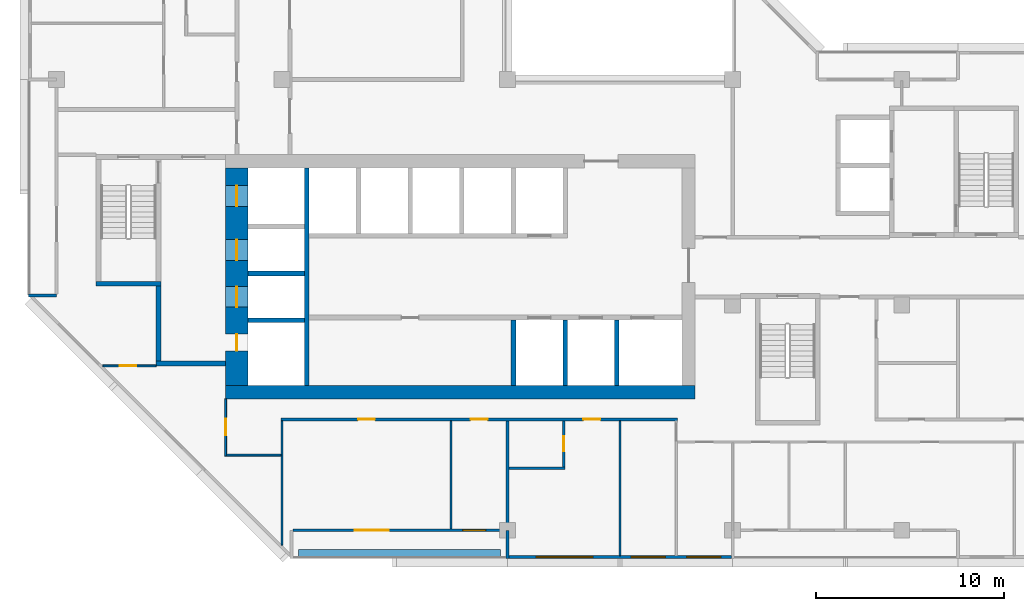
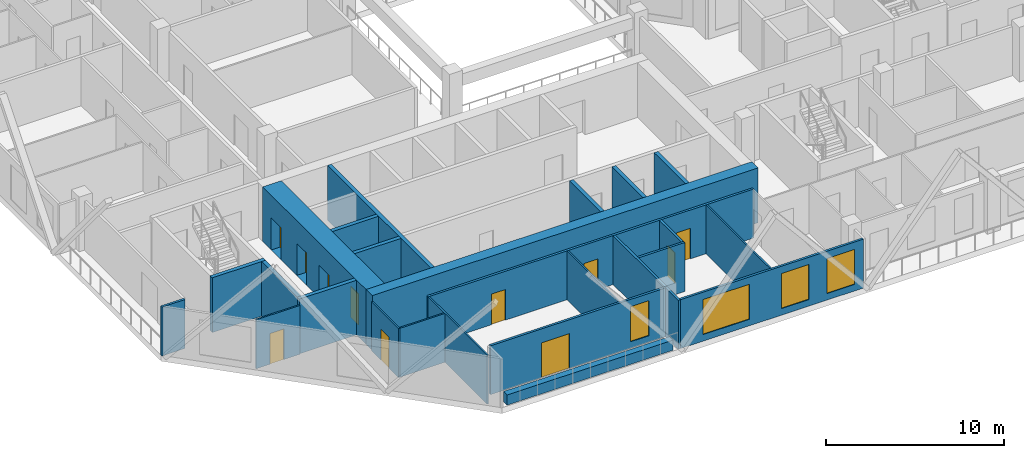
# One storey, part 4 of 14: 26 walls, 11 doors, 4 windows, 15 openings.
"""IFC4 building model written with IfcOpenShell, lengths in metres."""

import ifcopenshell
import ifcopenshell.guid

model = None  # the IFC model being written
_history = None  # IfcOwnerHistory: only IFC2X3 demands one
_inside = {}  # id of a spatial element -> (the spatial element, [elements in it])
_under = {}  # id of a project, library or spatial element -> (it, [spatial elements below it])
_declared = {}  # id of a project -> (the project, [libraries it declares])
_typed = {}  # id of a type object -> (the type object, [elements of that type])
_made_of = {}  # id of a material, layer set ... -> (it, [elements and type objects made of it])


def new_model(schema):
    """Start an empty IFC model of exactly this schema.

    Asked for "IFC4X3", IfcOpenShell would pick the latest addendum, in which some entities
    have other attributes; the version numbers below select the first issue.
    IFC2X3 requires an IfcOwnerHistory on every rooted entity: one is made here for all.
    """
    global model, _history
    if schema == "IFC4X3":
        model = ifcopenshell.file(schema_version=(4, 3, 0, 0))
    else:
        model = ifcopenshell.file(schema=schema)
    _inside.clear()
    _under.clear()
    _declared.clear()
    _typed.clear()
    _made_of.clear()
    _history = None
    if model.schema == "IFC2X3":
        org = make("IfcOrganization", Name="unknown")
        user = make(
            "IfcPersonAndOrganization",
            ThePerson=make("IfcPerson", FamilyName="unknown"),
            TheOrganization=org,
        )
        app = make(
            "IfcApplication",
            ApplicationDeveloper=org,
            Version="unknown",
            ApplicationFullName="unknown",
            ApplicationIdentifier="unknown",
        )
        _history = make(
            "IfcOwnerHistory",
            OwningUser=user,
            OwningApplication=app,
            ChangeAction="ADDED",
            CreationDate=0,
        )
    return model


def make(cls, **values):
    """One entity of the class cls with the attributes given. An attribute that is None is left unset."""
    return model.create_entity(
        cls, **{name: value for name, value in values.items() if value is not None}
    )


def rooted(cls, **values):
    """An entity with a GlobalId (a new one), such as an element, a storey or a relation."""
    return make(cls, GlobalId=ifcopenshell.guid.new(), OwnerHistory=_history, **values)


def si_unit(unit_type, name, prefix=None):
    """IfcSIUnit, for example si_unit("LENGTHUNIT", "METRE", prefix="MILLI")."""
    return make("IfcSIUnit", UnitType=unit_type, Prefix=prefix, Name=name)


def assignment(units):
    """IfcUnitAssignment: the units of a project."""
    return None if units is None else make("IfcUnitAssignment", Units=units)


def point(xyz):
    """IfcCartesianPoint."""
    return None if xyz is None else make("IfcCartesianPoint", Coordinates=xyz)


def direction(xyz):
    """IfcDirection."""
    return None if xyz is None else make("IfcDirection", DirectionRatios=xyz)


def frame(location, z_axis=None, x_axis=None):
    """IfcAxis2Placement3D, a coordinate frame: its origin and axes. An axis left out is left unset."""
    return make(
        "IfcAxis2Placement3D",
        Location=point(location),
        Axis=direction(z_axis),
        RefDirection=direction(x_axis),
    )


def frame_2d(location, x_axis=None):
    """IfcAxis2Placement2D, a coordinate frame in the plane: its origin and x axis."""
    return make(
        "IfcAxis2Placement2D", Location=point(location), RefDirection=direction(x_axis)
    )


def origin():
    """The frame at (0, 0, 0) with its axes left unset."""
    return frame((0.0, 0.0, 0.0))


def place(relative_to, where):
    """IfcLocalPlacement: puts the frame where relative to a parent placement (None: the world)."""
    return make(
        "IfcLocalPlacement", PlacementRelTo=relative_to, RelativePlacement=where
    )


def context(
    kind, dimensions, precision=None, world=None, true_north=None, identifier=None
):
    """IfcGeometricRepresentationContext, for example the 3D "Model" context."""
    return make(
        "IfcGeometricRepresentationContext",
        ContextIdentifier=identifier,
        ContextType=kind,
        CoordinateSpaceDimension=dimensions,
        Precision=precision,
        WorldCoordinateSystem=world,
        TrueNorth=true_north,
    )


def subcontext(parent, identifier, kind, view, scale=None):
    """IfcGeometricRepresentationSubContext, for example "Body" below "Model"."""
    return make(
        "IfcGeometricRepresentationSubContext",
        ContextIdentifier=identifier,
        ContextType=kind,
        ParentContext=parent,
        TargetScale=scale,
        TargetView=view,
    )


def project(units=None, contexts=None):
    """IfcProject with its units and contexts."""
    return rooted(
        "IfcProject",
        Name="project",
        RepresentationContexts=contexts,
        UnitsInContext=assignment(units),
    )


def spatial(cls, under=None, at=None, **own):
    """A site, building, storey or space (cls), placed at a placement, below another one or the project."""
    s = rooted(cls, ObjectPlacement=at, **own)
    if under is not None:
        _under.setdefault(under.id(), (under, []))[1].append(s)
    return s


def profile(cls, at=None, kind="AREA", **sizes):
    """A parametric profile (cls). Its sizes go by their IFC names, for example OverallWidth=200.0."""
    return make(cls, ProfileType=kind, Position=at, **sizes)


def rectangle(**sizes):
    """IfcRectangleProfileDef."""
    return profile("IfcRectangleProfileDef", **sizes)


def extrude(swept, where, along, depth):
    """IfcExtrudedAreaSolid: the profile swept, set in the frame where, extruded along a direction by depth."""
    return make(
        "IfcExtrudedAreaSolid",
        SweptArea=swept,
        Position=where,
        ExtrudedDirection=direction(along),
        Depth=depth,
    )


def shape(context_of_items, identifier, shape_type, items):
    """IfcShapeRepresentation: the items that make up one representation, for example the "Body"."""
    return make(
        "IfcShapeRepresentation",
        ContextOfItems=context_of_items,
        RepresentationIdentifier=identifier,
        RepresentationType=shape_type,
        Items=items,
    )


def material(Name=None, Category=None):
    """IfcMaterial."""
    return make("IfcMaterial", Name=Name, Category=Category)


def layer(
    of_material, thickness, ventilated=None, Name=None, Category=None, Priority=None
):
    """IfcMaterialLayer: one layer of a wall or slab, of a material (None: an air gap)."""
    return make(
        "IfcMaterialLayer",
        Material=of_material,
        LayerThickness=thickness,
        IsVentilated=ventilated,
        Name=Name,
        Category=Category,
        Priority=Priority,
    )


def layer_set(layers, Name=None):
    """IfcMaterialLayerSet."""
    return make("IfcMaterialLayerSet", MaterialLayers=layers, LayerSetName=Name)


def made_of(thing, what):
    """Note that an element or type object is made of a material, layer set ...; save() writes the relation."""
    if what is not None:
        _made_of.setdefault(what.id(), (what, []))[1].append(thing)
    return thing


def type_object(cls, material=None, **own):
    """A type object (cls), such as IfcWallType, which elements share."""
    return made_of(rooted(cls, **own), material)


def element(
    cls,
    number,
    at=None,
    inside=None,
    cuts=None,
    type_object=None,
    material=None,
    context=None,
    identifier="Body",
    shape_type=None,
    held_by="IfcProductDefinitionShape",
    body=None,
    shapes=None,
    **own,
):
    """One element of the class cls, such as IfcWall. Its Tag is "e" and its number.

    at: its placement. inside: the storey or other place that contains it. cuts: it is an
    opening in that element (IfcRelVoidsElement). A single representation is given by context,
    identifier, shape_type and body (its items); several are given by shapes. held_by: the class
    of the entity that holds the representations. save() writes the other relations.
    """
    e = rooted(cls, Tag="e%d" % number, ObjectPlacement=at, **own)
    if body is not None:
        shapes = [shape(context, identifier, shape_type, body)]
    if shapes is not None:
        e.Representation = make(held_by, Representations=shapes)
    if inside is not None:
        _inside.setdefault(inside.id(), (inside, []))[1].append(e)
    if cuts is not None:
        rooted(
            "IfcRelVoidsElement", RelatingBuildingElement=cuts, RelatedOpeningElement=e
        )
    if type_object is not None:
        _typed.setdefault(type_object.id(), (type_object, []))[1].append(e)
    return made_of(e, material)


def fill(opening, filler):
    """IfcRelFillsElement: the door or window that sits in an opening."""
    return rooted(
        "IfcRelFillsElement",
        RelatingOpeningElement=opening,
        RelatedBuildingElement=filler,
    )


def aggregate(whole, parts):
    """IfcRelAggregates: a whole, such as a stair, and the parts it consists of."""
    return rooted("IfcRelAggregates", RelatingObject=whole, RelatedObjects=parts)


def save(model, path):
    """Write the relations noted so far, then the file.

    IfcRelAggregates (storeys below a building ...), IfcRelContainedInSpatialStructure (elements
    in a storey), IfcRelDefinesByType, IfcRelAssociatesMaterial and IfcRelDeclares: one each for
    every whole, place, type object, material and project.
    """
    for whole, parts in _under.values():
        aggregate(whole, parts)
    for where, things in _inside.values():
        rooted(
            "IfcRelContainedInSpatialStructure",
            RelatedElements=things,
            RelatingStructure=where,
        )
    for kind, things in _typed.values():
        rooted("IfcRelDefinesByType", RelatedObjects=things, RelatingType=kind)
    for what, things in _made_of.values():
        rooted("IfcRelAssociatesMaterial", RelatedObjects=things, RelatingMaterial=what)
    for by, libraries in _declared.values():
        rooted("IfcRelDeclares", RelatingContext=by, RelatedDefinitions=libraries)
    model.write(path)


model = new_model("IFC4")

# Units and contexts
model_context = context("Model", 3, precision=1e-05, world=origin(), true_north=direction((0.0, 1.0)))
body_context = subcontext(model_context, "Body", "Model", "MODEL_VIEW")
ifc_project = project(units=[si_unit("LENGTHUNIT", "METRE"), si_unit("AREAUNIT", "SQUARE_METRE"), si_unit("VOLUMEUNIT", "CUBIC_METRE"), si_unit("PLANEANGLEUNIT", "RADIAN"), si_unit("MASSUNIT", "GRAM", prefix="KILO")], contexts=[model_context])

# Site, building, storey
site_placement = place(None, origin())
site = spatial("IfcSite", under=ifc_project, at=site_placement, CompositionType="ELEMENT")
building_placement = place(site_placement, origin())
building = spatial("IfcBuilding", under=site, at=building_placement, Name="Chenar Terraces", CompositionType="ELEMENT")
storey_placement = place(building_placement, frame((0.0, 0.0, 226.64990234375)))
storey = spatial("IfcBuildingStorey", under=building, at=storey_placement, Name="L53", CompositionType="ELEMENT", Elevation=226.64990234375)

# Wall, openings, doors
ifc_material_1 = material(Name="Concrete C60/75", Category="concrete")
ifc_layer_1 = layer(ifc_material_1, 1.199951171875)
ifc_layer_set_1 = layer_set([ifc_layer_1], Name="Concrete C60/75")
wall_type_1 = type_object("IfcWallType", Name="Core wall 1200 Concrete C60/75", PredefinedType="SHEAR", material=ifc_layer_set_1)
wall_1_placement = place(storey_placement, frame((9.60009765625, 7.699951171875, 0.0), z_axis=(0.0, 0.0, 1.0), x_axis=(0.0, 1.0, 0.0)))
wall_1 = element("IfcWall", 1, at=wall_1_placement, inside=storey, type_object=wall_type_1, Name="Core wall W L53", PredefinedType="SHEAR", context=body_context, shape_type="SweptSolid", body=[
    extrude(rectangle(XDim=11.60009765625, YDim=1.199951171875, at=frame_2d((5.800048828125, 0.0))), origin(), (0.0, 0.0, 1.0), 3.75),
])
opening_1_placement = place(wall_1_placement, frame((4.175048828125, 0.0, 0.0)))
opening_1 = element("IfcOpeningElement", 2, at=opening_1_placement, cuts=wall_1, Name="Opening DL53-LD5", PredefinedType="OPENING", context=body_context, shape_type="SweptSolid", body=[
    extrude(rectangle(XDim=1.10009765625, YDim=2.199951171875, at=frame_2d((0.550048828125, 1.10009765625))), frame((0.0, 0.60986328125, 0.0), z_axis=(0.0, -1.0, 0.0), x_axis=(1.0, 0.0, 0.0)), (0.0, 0.0, 1.0), 1.219970703125),
])
opening_2_placement = place(wall_1_placement, frame((6.675048828125, 0.0, 0.0)))
opening_2 = element("IfcOpeningElement", 3, at=opening_2_placement, cuts=wall_1, Name="Opening DL53-LD6", PredefinedType="OPENING", context=body_context, shape_type="SweptSolid", body=[
    extrude(rectangle(XDim=1.10009765625, YDim=2.199951171875, at=frame_2d((0.550048828125, 1.10009765625))), frame((0.0, 0.60986328125, 0.0), z_axis=(0.0, -1.0, 0.0), x_axis=(1.0, 0.0, 0.0)), (0.0, 0.0, 1.0), 1.219970703125),
])
opening_3_placement = place(wall_1_placement, frame((9.550048828125, 0.0, 0.0)))
opening_3 = element("IfcOpeningElement", 4, at=opening_3_placement, cuts=wall_1, Name="Opening DL53-LD7", PredefinedType="OPENING", context=body_context, shape_type="SweptSolid", body=[
    extrude(rectangle(XDim=1.10009765625, YDim=2.199951171875, at=frame_2d((0.550048828125, 1.10009765625))), frame((0.0, 0.60986328125, 0.0), z_axis=(0.0, -1.0, 0.0), x_axis=(1.0, 0.0, 0.0)), (0.0, 0.0, 1.0), 1.219970703125),
])
opening_4_placement = place(wall_1_placement, frame((1.85009765625, 0.0, 0.0)))
opening_4 = element("IfcOpeningElement", 5, at=opening_4_placement, cuts=wall_1, Name="Opening DL53-C4", PredefinedType="OPENING", context=body_context, shape_type="SweptSolid", body=[
    extrude(rectangle(XDim=0.89990234375, YDim=2.10009765625, at=frame_2d((0.449951171875, 1.050048828125))), frame((0.0, 0.60986328125, 0.0), z_axis=(0.0, -1.0, 0.0), x_axis=(1.0, 0.0, 0.0)), (0.0, 0.0, 1.0), 1.219970703125),
])
ifc_material_2 = material(Name="Stainless steel", Category="steel")
door_type_1 = type_object("IfcDoorType", Name="Lift landing door 1100 x 2200 sliding", OperationType="DOUBLE_DOOR_SLIDING", PredefinedType="DOOR", material=ifc_material_2)
door_1_placement = place(opening_1_placement, origin())
door_1 = element("IfcDoor", 6, at=door_1_placement, inside=storey, type_object=door_type_1, Name="Landing door S1", OperationType="DOUBLE_DOOR_SLIDING", OverallHeight=2.199951171875, OverallWidth=1.10009765625, PredefinedType="DOOR", context=body_context, shape_type="SweptSolid", body=[
    extrude(rectangle(XDim=1.10009765625, YDim=2.199951171875, at=frame_2d((0.550048828125, 1.10009765625))), frame((0.0, 0.02490234375, 0.0), z_axis=(0.0, -1.0, 0.0), x_axis=(1.0, 0.0, 0.0)), (0.0, 0.0, 1.0), 0.050048828125),
])
fill(opening_1, door_1)
door_2_placement = place(opening_2_placement, origin())
door_2 = element("IfcDoor", 7, at=door_2_placement, inside=storey, type_object=door_type_1, Name="Landing door F1", OperationType="DOUBLE_DOOR_SLIDING", OverallHeight=2.199951171875, OverallWidth=1.10009765625, PredefinedType="DOOR", context=body_context, shape_type="SweptSolid", body=[
    extrude(rectangle(XDim=1.10009765625, YDim=2.199951171875, at=frame_2d((0.550048828125, 1.10009765625))), frame((0.0, 0.02490234375, 0.0), z_axis=(0.0, -1.0, 0.0), x_axis=(1.0, 0.0, 0.0)), (0.0, 0.0, 1.0), 0.050048828125),
])
fill(opening_2, door_2)
door_3_placement = place(opening_3_placement, origin())
door_3 = element("IfcDoor", 8, at=door_3_placement, inside=storey, type_object=door_type_1, Name="Landing door F2", OperationType="DOUBLE_DOOR_SLIDING", OverallHeight=2.199951171875, OverallWidth=1.10009765625, PredefinedType="DOOR", context=body_context, shape_type="SweptSolid", body=[
    extrude(rectangle(XDim=1.10009765625, YDim=2.199951171875, at=frame_2d((0.550048828125, 1.10009765625))), frame((0.0, 0.02490234375, 0.0), z_axis=(0.0, -1.0, 0.0), x_axis=(1.0, 0.0, 0.0)), (0.0, 0.0, 1.0), 0.050048828125),
])
fill(opening_3, door_3)
ifc_material_3 = material(Name="Steel-framed fire-resisting door leaf", Category="steel")
door_type_2 = type_object("IfcDoorType", Name="Riser fire door FD60 900 x 2100", OperationType="SINGLE_SWING_LEFT", PredefinedType="DOOR", material=ifc_material_3)
door_4_placement = place(opening_4_placement, frame((0.89990234375, 0.0, 0.0), z_axis=(0.0, 0.0, 1.0), x_axis=(-1.0, 0.0, 0.0)))
door_4 = element("IfcDoor", 9, at=door_4_placement, inside=storey, type_object=door_type_2, Name="Riser door DL53-C4", OperationType="SINGLE_SWING_LEFT", OverallHeight=2.10009765625, OverallWidth=0.89990234375, PredefinedType="DOOR", context=body_context, shape_type="SweptSolid", body=[
    extrude(rectangle(XDim=0.89990234375, YDim=2.10009765625, at=frame_2d((0.449951171875, 1.050048828125))), frame((0.0, 0.02490234375, 0.0), z_axis=(0.0, -1.0, 0.0), x_axis=(1.0, 0.0, 0.0)), (0.0, 0.0, 1.0), 0.050048828125),
])
fill(opening_4, door_4)

# Walls
ifc_material_4 = material(Name="Concrete C60/75", Category="concrete")
ifc_layer_2 = layer(ifc_material_4, 0.25)
ifc_layer_set_2 = layer_set([ifc_layer_2], Name="Concrete C60/75")
wall_type_2 = type_object("IfcWallType", Name="Core wall 250 Concrete C60/75", PredefinedType="SHEAR", material=ifc_layer_set_2)
wall_2_placement = place(storey_placement, frame((13.324951171875, 7.699951171875, 0.0), z_axis=(0.0, 0.0, 1.0), x_axis=(0.0, 1.0, 0.0)))
element("IfcWall", 10, at=wall_2_placement, inside=storey, type_object=wall_type_2, Name="Core wall WI L53", PredefinedType="SHEAR", context=body_context, shape_type="SweptSolid", body=[
    extrude(rectangle(XDim=11.60009765625, YDim=0.25, at=frame_2d((5.800048828125, 0.0))), origin(), (0.0, 0.0, 1.0), 3.75),
])
for number, where, z_axis, x_axis, name in (
    (11, (10.199951171875, 11.175048828125, 0.0), (0.0, 0.0, 1.0), (1.0, 0.0, 0.0), "Core wall HW0 L53"),
    (12, (10.199951171875, 13.675048828125, 0.0), (0.0, 0.0, 1.0), (1.0, 0.0, 0.0), "Core wall HW1 L53"),
):
    element("IfcWall", number, at=place(storey_placement, frame(where, z_axis=z_axis, x_axis=x_axis)), inside=storey, type_object=wall_type_2, Name=name, PredefinedType="SHEAR", context=body_context, shape_type="SweptSolid", body=[
        extrude(rectangle(XDim=3.0, YDim=0.25, at=frame_2d((1.5, 0.0))), origin(), (0.0, 0.0, 1.0), 3.75),
    ])
for number, where, z_axis, x_axis, name in (
    (13, (24.324951171875, 7.699951171875, 0.0), (0.0, 0.0, 1.0), (0.0, 1.0, 0.0), "Core wall SS3 L53"),
    (14, (27.074951171875, 7.699951171875, 0.0), (0.0, 0.0, 1.0), (0.0, 1.0, 0.0), "Core wall SS4 L53"),
    (15, (29.824951171875, 7.699951171875, 0.0), (0.0, 0.0, 1.0), (0.0, 1.0, 0.0), "Core wall SS5 L53"),
):
    element("IfcWall", number, at=place(storey_placement, frame(where, z_axis=z_axis, x_axis=x_axis)), inside=storey, type_object=wall_type_2, Name=name, PredefinedType="SHEAR", context=body_context, shape_type="SweptSolid", body=[
        extrude(rectangle(XDim=3.5, YDim=0.25, at=frame_2d((1.75, 0.0))), origin(), (0.0, 0.0, 1.0), 3.75),
    ])
wall_3_placement = place(storey_placement, frame((2.10009765625, 13.125, 0.0), z_axis=(0.0, 0.0, 1.0), x_axis=(1.0, 0.0, 0.0)))
element("IfcWall", 16, at=wall_3_placement, inside=storey, type_object=wall_type_2, Name="Core wall ST1_S L53", PredefinedType="SHEAR", context=body_context, shape_type="SweptSolid", body=[
    extrude(rectangle(XDim=3.449951171875, YDim=0.25, at=frame_2d((1.72509765625, 0.0))), origin(), (0.0, 0.0, 1.0), 3.75),
])
wall_4_placement = place(storey_placement, frame((5.300048828125, 8.875, 0.0), z_axis=(0.0, 0.0, 1.0), x_axis=(1.0, 0.0, 0.0)))
element("IfcWall", 17, at=wall_4_placement, inside=storey, type_object=wall_type_2, Name="Core wall FFL_S L53", PredefinedType="SHEAR", context=body_context, shape_type="SweptSolid", body=[
    extrude(rectangle(XDim=3.699951171875, YDim=0.25, at=frame_2d((1.85009765625, 0.0))), origin(), (0.0, 0.0, 1.0), 3.75),
])
wall_5_placement = place(storey_placement, frame((5.425048828125, 9.0, 0.0), z_axis=(0.0, 0.0, 1.0), x_axis=(0.0, 1.0, 0.0)))
element("IfcWall", 18, at=wall_5_placement, inside=storey, type_object=wall_type_2, Name="Core wall FFL_W L53", PredefinedType="SHEAR", context=body_context, shape_type="SweptSolid", body=[
    extrude(rectangle(XDim=4.0, YDim=0.25, at=frame_2d((2.0, 0.0))), origin(), (0.0, 0.0, 1.0), 3.75),
])
ifc_material_5 = material(Name="Concrete C60/75", Category="concrete")
ifc_layer_3 = layer(ifc_material_5, 0.699951171875)
ifc_layer_set_3 = layer_set([ifc_layer_3], Name="Concrete C60/75")
wall_type_3 = type_object("IfcWallType", Name="Core wall 700 Concrete C60/75", PredefinedType="SHEAR", material=ifc_layer_set_3)
wall_6_placement = place(storey_placement, frame((9.0, 7.35009765625, 0.0), z_axis=(0.0, 0.0, 1.0), x_axis=(1.0, 0.0, 0.0)))
element("IfcWall", 19, at=wall_6_placement, inside=storey, type_object=wall_type_3, Name="Core wall S L53", PredefinedType="SHEAR", context=body_context, shape_type="SweptSolid", body=[
    extrude(rectangle(XDim=25.0, YDim=0.699951171875, at=frame_2d((12.5, 0.0))), origin(), (0.0, 0.0, 1.0), 3.75),
])

# Wall, openings, windows
ifc_material_6 = material(Name="Aluminium framed glazing", Category="aluminium")
ifc_layer_4 = layer(ifc_material_6, 0.14990234375)
ifc_layer_set_4 = layer_set([ifc_layer_4], Name="Aluminium framed glazing")
wall_type_4 = type_object("IfcWallType", Name="Glazed flush facade wall 150", PredefinedType="SOLIDWALL", material=ifc_layer_set_4)
wall_7_placement = place(storey_placement, frame((24.074951171875, -1.425048828125, 0.0), z_axis=(0.0, 0.0, 1.0), x_axis=(1.0, 0.0, 0.0)))
wall_7 = element("IfcWall", 20, at=wall_7_placement, inside=storey, type_object=wall_type_4, Name="Glazed flush facade wall", PredefinedType="SOLIDWALL", context=body_context, shape_type="SweptSolid", body=[
    extrude(rectangle(XDim=11.85009765625, YDim=0.14990234375, at=frame_2d((5.925048828125, 0.0))), origin(), (0.0, 0.0, 1.0), 3.35009765625),
])
opening_5_placement = place(wall_7_placement, frame((1.46240234375, 0.0, 0.449951171875)))
opening_5 = element("IfcOpeningElement", 21, at=opening_5_placement, cuts=wall_7, Name="Opening W300x240", PredefinedType="OPENING", context=body_context, shape_type="SweptSolid", body=[
    extrude(rectangle(XDim=3.0, YDim=2.39990234375, at=frame_2d((1.5, 1.199951171875))), frame((0.0, 0.0849609375, 0.0), z_axis=(0.0, -1.0, 0.0), x_axis=(1.0, 0.0, 0.0)), (0.0, 0.0, 1.0), 0.169921875),
])
opening_6_placement = place(wall_7_placement, frame((6.52490234375, 0.0, 0.449951171875)))
opening_6 = element("IfcOpeningElement", 22, at=opening_6_placement, cuts=wall_7, Name="Opening W180x240", PredefinedType="OPENING", context=body_context, shape_type="SweptSolid", body=[
    extrude(rectangle(XDim=1.800048828125, YDim=2.39990234375, at=frame_2d((0.89990234375, 1.199951171875))), frame((0.0, 0.0849609375, 0.0), z_axis=(0.0, -1.0, 0.0), x_axis=(1.0, 0.0, 0.0)), (0.0, 0.0, 1.0), 0.169921875),
])
opening_7_placement = place(wall_7_placement, frame((9.487548828125, 0.0, 0.449951171875)))
opening_7 = element("IfcOpeningElement", 23, at=opening_7_placement, cuts=wall_7, Name="Opening W180x240", PredefinedType="OPENING", context=body_context, shape_type="SweptSolid", body=[
    extrude(rectangle(XDim=1.800048828125, YDim=2.39990234375, at=frame_2d((0.89990234375, 1.199951171875))), frame((0.0, 0.0849609375, 0.0), z_axis=(0.0, -1.0, 0.0), x_axis=(1.0, 0.0, 0.0)), (0.0, 0.0, 1.0), 0.169921875),
])
ifc_material_7 = material(Name="Low emissivity double glazing, aluminium frame", Category="aluminium")
window_type_1 = type_object("IfcWindowType", Name="Fixed light 1800 x 2400", PartitioningType="SINGLE_PANEL", PredefinedType="WINDOW", material=ifc_material_7)
window_1_placement = place(opening_6_placement, origin())
window_1 = element("IfcWindow", 24, at=window_1_placement, inside=storey, type_object=window_type_1, Name="Window", OverallHeight=2.39990234375, OverallWidth=1.800048828125, PartitioningType="SINGLE_PANEL", PredefinedType="WINDOW", context=body_context, shape_type="SweptSolid", body=[
    extrude(rectangle(XDim=1.800048828125, YDim=2.39990234375, at=frame_2d((0.89990234375, 1.199951171875))), frame((0.0, 0.030029296875, 0.0), z_axis=(0.0, -1.0, 0.0), x_axis=(1.0, 0.0, 0.0)), (0.0, 0.0, 1.0), 0.06005859375),
])
fill(opening_6, window_1)
window_2_placement = place(opening_7_placement, origin())
window_2 = element("IfcWindow", 25, at=window_2_placement, inside=storey, type_object=window_type_1, Name="Window", OverallHeight=2.39990234375, OverallWidth=1.800048828125, PartitioningType="SINGLE_PANEL", PredefinedType="WINDOW", context=body_context, shape_type="SweptSolid", body=[
    extrude(rectangle(XDim=1.800048828125, YDim=2.39990234375, at=frame_2d((0.89990234375, 1.199951171875))), frame((0.0, 0.030029296875, 0.0), z_axis=(0.0, -1.0, 0.0), x_axis=(1.0, 0.0, 0.0)), (0.0, 0.0, 1.0), 0.06005859375),
])
fill(opening_7, window_2)
ifc_material_8 = material(Name="Low emissivity double glazing, aluminium frame", Category="aluminium")
window_type_2 = type_object("IfcWindowType", Name="Fixed light 3000 x 2400", PartitioningType="SINGLE_PANEL", PredefinedType="WINDOW", material=ifc_material_8)
window_3_placement = place(opening_5_placement, origin())
window_3 = element("IfcWindow", 26, at=window_3_placement, inside=storey, type_object=window_type_2, Name="Window", OverallHeight=2.39990234375, OverallWidth=3.0, PartitioningType="SINGLE_PANEL", PredefinedType="WINDOW", context=body_context, shape_type="SweptSolid", body=[
    extrude(rectangle(XDim=3.0, YDim=2.39990234375, at=frame_2d((1.5, 1.199951171875))), frame((0.0, 0.030029296875, 0.0), z_axis=(0.0, -1.0, 0.0), x_axis=(1.0, 0.0, 0.0)), (0.0, 0.0, 1.0), 0.06005859375),
])
fill(opening_5, window_3)

# Wall, openings, window, door
ifc_material_9 = material(Name="Aluminium framed glazing", Category="aluminium")
ifc_layer_5 = layer(ifc_material_9, 0.14990234375)
ifc_layer_set_5 = layer_set([ifc_layer_5], Name="Aluminium framed glazing")
wall_type_5 = type_object("IfcWallType", Name="Glazed loggia back wall 150", PredefinedType="SOLIDWALL", material=ifc_layer_set_5)
wall_8_placement = place(storey_placement, frame((12.574951171875, 0.0, 0.0), z_axis=(0.0, 0.0, 1.0), x_axis=(1.0, 0.0, 0.0)))
wall_8 = element("IfcWall", 27, at=wall_8_placement, inside=storey, type_object=wall_type_5, Name="Glazed loggia back wall", PredefinedType="SOLIDWALL", context=body_context, shape_type="SweptSolid", body=[
    extrude(rectangle(XDim=11.35009765625, YDim=0.14990234375, at=frame_2d((5.675048828125, 0.0))), origin(), (0.0, 0.0, 1.0), 3.35009765625),
])
opening_8_placement = place(wall_8_placement, frame((3.3125, 0.0, 0.0)))
opening_8 = element("IfcOpeningElement", 28, at=opening_8_placement, cuts=wall_8, Name="Opening DL53-G5", PredefinedType="OPENING", context=body_context, shape_type="SweptSolid", body=[
    extrude(rectangle(XDim=1.800048828125, YDim=2.39990234375, at=frame_2d((0.89990234375, 1.199951171875))), frame((0.0, 0.0849609375, 0.0), z_axis=(0.0, -1.0, 0.0), x_axis=(1.0, 0.0, 0.0)), (0.0, 0.0, 1.0), 0.169921875),
])
opening_9_placement = place(wall_8_placement, frame((9.0625, 0.0, 0.449951171875)))
opening_9 = element("IfcOpeningElement", 29, at=opening_9_placement, cuts=wall_8, Name="Opening W120x240", PredefinedType="OPENING", context=body_context, shape_type="SweptSolid", body=[
    extrude(rectangle(XDim=1.199951171875, YDim=2.39990234375, at=frame_2d((0.60009765625, 1.199951171875))), frame((0.0, 0.0849609375, 0.0), z_axis=(0.0, -1.0, 0.0), x_axis=(1.0, 0.0, 0.0)), (0.0, 0.0, 1.0), 0.169921875),
])
ifc_material_10 = material(Name="Low emissivity double glazing, aluminium frame", Category="aluminium")
window_type_3 = type_object("IfcWindowType", Name="Fixed light 1200 x 2400", PartitioningType="SINGLE_PANEL", PredefinedType="WINDOW", material=ifc_material_10)
window_4_placement = place(opening_9_placement, origin())
window_4 = element("IfcWindow", 30, at=window_4_placement, inside=storey, type_object=window_type_3, Name="Window", OverallHeight=2.39990234375, OverallWidth=1.199951171875, PartitioningType="SINGLE_PANEL", PredefinedType="WINDOW", context=body_context, shape_type="SweptSolid", body=[
    extrude(rectangle(XDim=1.199951171875, YDim=2.39990234375, at=frame_2d((0.60009765625, 1.199951171875))), frame((0.0, 0.030029296875, 0.0), z_axis=(0.0, -1.0, 0.0), x_axis=(1.0, 0.0, 0.0)), (0.0, 0.0, 1.0), 0.06005859375),
])
fill(opening_9, window_4)
ifc_material_11 = material(Name="Low emissivity double glazing, aluminium frame", Category="aluminium")
door_type_3 = type_object("IfcDoorType", Name="Loggia glazed double door 1800 x 2400", OperationType="DOUBLE_DOOR_SINGLE_SWING", PredefinedType="DOOR", material=ifc_material_11)
door_5_placement = place(opening_8_placement, frame((1.800048828125, 0.0, 0.0), z_axis=(0.0, 0.0, 1.0), x_axis=(-1.0, 0.0, 0.0)))
door_5 = element("IfcDoor", 31, at=door_5_placement, inside=storey, type_object=door_type_3, Name="Loggia glazed door", OperationType="DOUBLE_DOOR_SINGLE_SWING", OverallHeight=2.39990234375, OverallWidth=1.800048828125, PredefinedType="DOOR", context=body_context, shape_type="SweptSolid", body=[
    extrude(rectangle(XDim=1.800048828125, YDim=2.39990234375, at=frame_2d((0.89990234375, 1.199951171875))), frame((0.0, 0.02490234375, 0.0), z_axis=(0.0, -1.0, 0.0), x_axis=(1.0, 0.0, 0.0)), (0.0, 0.0, 1.0), 0.050048828125),
])
fill(opening_8, door_5)

# Wall, opening, door
ifc_material_12 = material(Name="Gypsum board on steel studs", Category="steel")
ifc_layer_6 = layer(ifc_material_12, 0.10009765625)
ifc_layer_set_6 = layer_set([ifc_layer_6], Name="Gypsum board on steel studs")
wall_type_6 = type_object("IfcWallType", Name="Gypsum partition 100", PredefinedType="PARTITIONING", material=ifc_layer_set_6)
wall_9_placement = place(storey_placement, frame((2.4609375, 8.75, 0.0), z_axis=(0.0, 0.0, 1.0), x_axis=(1.0, 0.0, 0.0)))
wall_9 = element("IfcWall", 32, at=wall_9_placement, inside=storey, type_object=wall_type_6, Name="Partition L53-012", PredefinedType="PARTITIONING", context=body_context, shape_type="SweptSolid", body=[
    extrude(rectangle(XDim=2.839111328125, YDim=0.10009765625, at=frame_2d((1.41943359375, 0.0))), origin(), (0.0, 0.0, 1.0), 3.35009765625),
])
opening_10_placement = place(wall_9_placement, frame((0.888916015625, 0.0, 0.0)))
opening_10 = element("IfcOpeningElement", 33, at=opening_10_placement, cuts=wall_9, Name="Opening DL53-52", PredefinedType="OPENING", context=body_context, shape_type="SweptSolid", body=[
    extrude(rectangle(XDim=0.89990234375, YDim=2.10009765625, at=frame_2d((0.449951171875, 1.050048828125))), frame((0.0, 0.06005859375, 0.0), z_axis=(0.0, -1.0, 0.0), x_axis=(1.0, 0.0, 0.0)), (0.0, 0.0, 1.0), 0.1201171875),
])
ifc_material_13 = material(Name="Veneered timber door leaf", Category="wood")
door_type_4 = type_object("IfcDoorType", Name="Door 900 x 2100", OperationType="SINGLE_SWING_LEFT", PredefinedType="DOOR", material=ifc_material_13)
door_6_placement = place(opening_10_placement, frame((0.89990234375, 0.0, 0.0), z_axis=(0.0, 0.0, 1.0), x_axis=(-1.0, 0.0, 0.0)))
door_6 = element("IfcDoor", 34, at=door_6_placement, inside=storey, type_object=door_type_4, Name="Door DL53-52", OperationType="SINGLE_SWING_RIGHT", OverallHeight=2.10009765625, OverallWidth=0.89990234375, PredefinedType="DOOR", context=body_context, shape_type="SweptSolid", body=[
    extrude(rectangle(XDim=0.89990234375, YDim=2.10009765625, at=frame_2d((0.449951171875, 1.050048828125))), frame((0.0, 0.02490234375, 0.0), z_axis=(0.0, -1.0, 0.0), x_axis=(1.0, 0.0, 0.0)), (0.0, 0.0, 1.0), 0.050048828125),
])
fill(opening_10, door_6)

wall_10_placement = place(storey_placement, frame((9.0, 3.949951171875, 0.0), z_axis=(0.0, 0.0, 1.0), x_axis=(0.0, 1.0, 0.0)))
wall_10 = element("IfcWall", 35, at=wall_10_placement, inside=storey, type_object=wall_type_6, Name="Partition L53-027", PredefinedType="PARTITIONING", context=body_context, shape_type="SweptSolid", body=[
    extrude(rectangle(XDim=3.050048828125, YDim=0.10009765625, at=frame_2d((1.52490234375, 0.0))), origin(), (0.0, 0.0, 1.0), 3.35009765625),
])
opening_11_placement = place(wall_10_placement, frame((1.10009765625, 0.0, 0.0)))
opening_11 = element("IfcOpeningElement", 36, at=opening_11_placement, cuts=wall_10, Name="Opening DL53-51", PredefinedType="OPENING", context=body_context, shape_type="SweptSolid", body=[
    extrude(rectangle(XDim=0.89990234375, YDim=2.10009765625, at=frame_2d((0.449951171875, 1.050048828125))), frame((0.0, 0.06005859375, 0.0), z_axis=(0.0, -1.0, 0.0), x_axis=(1.0, 0.0, 0.0)), (0.0, 0.0, 1.0), 0.1201171875),
])
door_7_placement = place(opening_11_placement, origin())
door_7 = element("IfcDoor", 37, at=door_7_placement, inside=storey, type_object=door_type_4, Name="Door DL53-51", OperationType="SINGLE_SWING_LEFT", OverallHeight=2.10009765625, OverallWidth=0.89990234375, PredefinedType="DOOR", context=body_context, shape_type="SweptSolid", body=[
    extrude(rectangle(XDim=0.89990234375, YDim=2.10009765625, at=frame_2d((0.449951171875, 1.050048828125))), frame((0.0, 0.02490234375, 0.0), z_axis=(0.0, -1.0, 0.0), x_axis=(1.0, 0.0, 0.0)), (0.0, 0.0, 1.0), 0.050048828125),
])
fill(opening_11, door_7)

# Walls
wall_11_placement = place(storey_placement, frame((9.050048828125, 4.0, 0.0), z_axis=(0.0, 0.0, 1.0), x_axis=(1.0, 0.0, 0.0)))
element("IfcWall", 38, at=wall_11_placement, inside=storey, type_object=wall_type_6, Name="Partition L53-028", PredefinedType="PARTITIONING", context=body_context, shape_type="SweptSolid", body=[
    extrude(rectangle(XDim=2.89990234375, YDim=0.10009765625, at=frame_2d((1.449951171875, 0.0))), origin(), (0.0, 0.0, 1.0), 3.35009765625),
])
wall_12_placement = place(storey_placement, frame((12.0, -0.787841796875, 0.0), z_axis=(0.0, 0.0, 1.0), x_axis=(0.0, 1.0, 0.0)))
element("IfcWall", 39, at=wall_12_placement, inside=storey, type_object=wall_type_6, Name="Partition L53-031", PredefinedType="PARTITIONING", context=body_context, shape_type="SweptSolid", body=[
    extrude(rectangle(XDim=6.61279296875, YDim=0.10009765625, at=frame_2d((3.306396484375, 0.0))), origin(), (0.0, 0.0, 1.0), 3.35009765625),
])
wall_13_placement = place(storey_placement, frame((21.0, 0.073974609375, 0.0), z_axis=(0.0, 0.0, 1.0), x_axis=(0.0, 1.0, 0.0)))
element("IfcWall", 40, at=wall_13_placement, inside=storey, type_object=wall_type_6, Name="Partition L53-050", PredefinedType="PARTITIONING", context=body_context, shape_type="SweptSolid", body=[
    extrude(rectangle(XDim=5.7509765625, YDim=0.10009765625, at=frame_2d((2.87548828125, 0.0))), origin(), (0.0, 0.0, 1.0), 3.35009765625),
])
wall_14_placement = place(storey_placement, frame((30.0, -1.35107421875, 0.0), z_axis=(0.0, 0.0, 1.0), x_axis=(0.0, 1.0, 0.0)))
element("IfcWall", 41, at=wall_14_placement, inside=storey, type_object=wall_type_6, Name="Partition L53-055", PredefinedType="PARTITIONING", context=body_context, shape_type="SweptSolid", body=[
    extrude(rectangle(XDim=7.176025390625, YDim=0.10009765625, at=frame_2d((3.587890625, 0.0))), origin(), (0.0, 0.0, 1.0), 3.35009765625),
])
ifc_material_14 = material(Name="Terracotta cladding on insulated backing", Category="masonry")
ifc_layer_7 = layer(ifc_material_14, 0.14990234375)
ifc_layer_set_7 = layer_set([ifc_layer_7], Name="Terracotta cladding on insulated backing")
wall_type_7 = type_object("IfcWallType", Name="Loggia return wall 150", PredefinedType="SOLIDWALL", material=ifc_layer_set_7)
for number, where, z_axis, x_axis, name in (
    (42, (-1.5, 12.5, 0.0), (0.0, 0.0, 1.0), (1.0, 0.0, 0.0), "Loggia return wall"),
    (43, (24.0, -1.5, 0.0), (0.0, 0.0, 1.0), (0.0, 1.0, 0.0), "Loggia return wall"),
):
    element("IfcWall", number, at=place(storey_placement, frame(where, z_axis=z_axis, x_axis=x_axis)), inside=storey, type_object=wall_type_7, Name=name, PredefinedType="SOLIDWALL", context=body_context, shape_type="SweptSolid", body=[
        extrude(rectangle(XDim=1.5, YDim=0.14990234375, at=frame_2d((0.75, 0.0))), origin(), (0.0, 0.0, 1.0), 3.35009765625),
    ])
ifc_material_15 = material(Name="GRP planter trough")
ifc_layer_8 = layer(ifc_material_15, 0.39990234375)
ifc_layer_set_8 = layer_set([ifc_layer_8], Name="GRP planter trough")
wall_type_8 = type_object("IfcWallType", Name="Vertical greenery planter 400", PredefinedType="SOLIDWALL", material=ifc_layer_set_8)
wall_15_placement = place(storey_placement, frame((12.875, -1.22900390625, 0.0), z_axis=(0.0, 0.0, 1.0), x_axis=(1.0, 0.0, 0.0)))
element("IfcWall", 44, at=wall_15_placement, inside=storey, type_object=wall_type_8, Name="Vertical greenery planter", PredefinedType="SOLIDWALL", context=body_context, shape_type="SweptSolid", body=[
    extrude(rectangle(XDim=10.75, YDim=0.39990234375, at=frame_2d((5.375, 0.0))), origin(), (0.0, 0.0, 1.0), 0.7001953125),
])

# Wall, openings, doors
ifc_material_16 = material(Name="Moisture-resistant gypsum board on steel studs", Category="steel")
ifc_layer_9 = layer(ifc_material_16, 0.14990234375)
ifc_layer_set_9 = layer_set([ifc_layer_9], Name="Moisture-resistant gypsum board on steel studs")
wall_type_9 = type_object("IfcWallType", Name="Wet-room partition 150", PredefinedType="PARTITIONING", material=ifc_layer_set_9)
wall_16_placement = place(storey_placement, frame((11.949951171875, 5.89990234375, 0.0), z_axis=(0.0, 0.0, 1.0), x_axis=(1.0, 0.0, 0.0)))
wall_16 = element("IfcWall", 45, at=wall_16_placement, inside=storey, type_object=wall_type_9, Name="Partition L53-030", PredefinedType="PARTITIONING", context=body_context, shape_type="SweptSolid", body=[
    extrude(rectangle(XDim=21.10009765625, YDim=0.14990234375, at=frame_2d((10.550048828125, 0.0))), origin(), (0.0, 0.0, 1.0), 3.35009765625),
])
opening_12_placement = place(wall_16_placement, frame((10.10009765625, 0.0, 0.0)))
opening_12 = element("IfcOpeningElement", 46, at=opening_12_placement, cuts=wall_16, Name="Opening DL53-45", PredefinedType="OPENING", context=body_context, shape_type="SweptSolid", body=[
    extrude(rectangle(XDim=0.89990234375, YDim=2.10009765625, at=frame_2d((0.449951171875, 1.050048828125))), frame((0.0, 0.0849609375, 0.0), z_axis=(0.0, -1.0, 0.0), x_axis=(1.0, 0.0, 0.0)), (0.0, 0.0, 1.0), 0.169921875),
])
opening_13_placement = place(wall_16_placement, frame((16.10009765625, 0.0, 0.0)))
opening_13 = element("IfcOpeningElement", 47, at=opening_13_placement, cuts=wall_16, Name="Opening DL53-53", PredefinedType="OPENING", context=body_context, shape_type="SweptSolid", body=[
    extrude(rectangle(XDim=0.89990234375, YDim=2.10009765625, at=frame_2d((0.449951171875, 1.050048828125))), frame((0.0, 0.0849609375, 0.0), z_axis=(0.0, -1.0, 0.0), x_axis=(1.0, 0.0, 0.0)), (0.0, 0.0, 1.0), 0.169921875),
])
opening_14_placement = place(wall_16_placement, frame((4.10009765625, 0.0, 0.0)))
opening_14 = element("IfcOpeningElement", 48, at=opening_14_placement, cuts=wall_16, Name="Opening DL53-58", PredefinedType="OPENING", context=body_context, shape_type="SweptSolid", body=[
    extrude(rectangle(XDim=0.89990234375, YDim=2.10009765625, at=frame_2d((0.449951171875, 1.050048828125))), frame((0.0, 0.0849609375, 0.0), z_axis=(0.0, -1.0, 0.0), x_axis=(1.0, 0.0, 0.0)), (0.0, 0.0, 1.0), 0.169921875),
])
door_8_placement = place(opening_12_placement, frame((0.89990234375, 0.0, 0.0), z_axis=(0.0, 0.0, 1.0), x_axis=(-1.0, 0.0, 0.0)))
door_8 = element("IfcDoor", 49, at=door_8_placement, inside=storey, type_object=door_type_4, Name="Door DL53-45", OperationType="SINGLE_SWING_RIGHT", OverallHeight=2.10009765625, OverallWidth=0.89990234375, PredefinedType="DOOR", context=body_context, shape_type="SweptSolid", body=[
    extrude(rectangle(XDim=0.89990234375, YDim=2.10009765625, at=frame_2d((0.449951171875, 1.050048828125))), frame((0.0, 0.02490234375, 0.0), z_axis=(0.0, -1.0, 0.0), x_axis=(1.0, 0.0, 0.0)), (0.0, 0.0, 1.0), 0.050048828125),
])
fill(opening_12, door_8)
door_9_placement = place(opening_13_placement, frame((0.89990234375, 0.0, 0.0), z_axis=(0.0, 0.0, 1.0), x_axis=(-1.0, 0.0, 0.0)))
door_9 = element("IfcDoor", 50, at=door_9_placement, inside=storey, type_object=door_type_4, Name="Door DL53-53", OperationType="SINGLE_SWING_RIGHT", OverallHeight=2.10009765625, OverallWidth=0.89990234375, PredefinedType="DOOR", context=body_context, shape_type="SweptSolid", body=[
    extrude(rectangle(XDim=0.89990234375, YDim=2.10009765625, at=frame_2d((0.449951171875, 1.050048828125))), frame((0.0, 0.02490234375, 0.0), z_axis=(0.0, -1.0, 0.0), x_axis=(1.0, 0.0, 0.0)), (0.0, 0.0, 1.0), 0.050048828125),
])
fill(opening_13, door_9)
door_10_placement = place(opening_14_placement, frame((0.89990234375, 0.0, 0.0), z_axis=(0.0, 0.0, 1.0), x_axis=(-1.0, 0.0, 0.0)))
door_10 = element("IfcDoor", 51, at=door_10_placement, inside=storey, type_object=door_type_4, Name="Door DL53-58", OperationType="SINGLE_SWING_RIGHT", OverallHeight=2.10009765625, OverallWidth=0.89990234375, PredefinedType="DOOR", context=body_context, shape_type="SweptSolid", body=[
    extrude(rectangle(XDim=0.89990234375, YDim=2.10009765625, at=frame_2d((0.449951171875, 1.050048828125))), frame((0.0, 0.02490234375, 0.0), z_axis=(0.0, -1.0, 0.0), x_axis=(1.0, 0.0, 0.0)), (0.0, 0.0, 1.0), 0.050048828125),
])
fill(opening_14, door_10)

# Walls
wall_17_placement = place(storey_placement, frame((24.0, 0.0, 0.0), z_axis=(0.0, 0.0, 1.0), x_axis=(0.0, 1.0, 0.0)))
element("IfcWall", 52, at=wall_17_placement, inside=storey, type_object=wall_type_9, Name="Partition L53-052", PredefinedType="PARTITIONING", context=body_context, shape_type="SweptSolid", body=[
    extrude(rectangle(XDim=5.824951171875, YDim=0.14990234375, at=frame_2d((2.91259765625, 0.0))), origin(), (0.0, 0.0, 1.0), 3.35009765625),
])
wall_18_placement = place(storey_placement, frame((24.074951171875, 3.300048828125, 0.0), z_axis=(0.0, 0.0, 1.0), x_axis=(1.0, 0.0, 0.0)))
element("IfcWall", 53, at=wall_18_placement, inside=storey, type_object=wall_type_9, Name="Partition L53-053", PredefinedType="PARTITIONING", context=body_context, shape_type="SweptSolid", body=[
    extrude(rectangle(XDim=3.0, YDim=0.14990234375, at=frame_2d((1.5, 0.0))), origin(), (0.0, 0.0, 1.0), 3.35009765625),
])

# Wall, opening, door
wall_19_placement = place(storey_placement, frame((27.0, 3.375, 0.0), z_axis=(0.0, 0.0, 1.0), x_axis=(0.0, 1.0, 0.0)))
wall_19 = element("IfcWall", 54, at=wall_19_placement, inside=storey, type_object=wall_type_9, Name="Partition L53-054", PredefinedType="PARTITIONING", context=body_context, shape_type="SweptSolid", body=[
    extrude(rectangle(XDim=2.449951171875, YDim=0.14990234375, at=frame_2d((1.22509765625, 0.0))), origin(), (0.0, 0.0, 1.0), 3.35009765625),
])
opening_15_placement = place(wall_19_placement, frame((0.824951171875, 0.0, 0.0)))
opening_15 = element("IfcOpeningElement", 55, at=opening_15_placement, cuts=wall_19, Name="Opening DL53-55", PredefinedType="OPENING", context=body_context, shape_type="SweptSolid", body=[
    extrude(rectangle(XDim=0.800048828125, YDim=2.10009765625, at=frame_2d((0.39990234375, 1.050048828125))), frame((0.0, 0.0849609375, 0.0), z_axis=(0.0, -1.0, 0.0), x_axis=(1.0, 0.0, 0.0)), (0.0, 0.0, 1.0), 0.169921875),
])
ifc_material_17 = material(Name="Veneered timber door leaf", Category="wood")
door_type_5 = type_object("IfcDoorType", Name="Door 800 x 2100", OperationType="SINGLE_SWING_LEFT", PredefinedType="DOOR", material=ifc_material_17)
door_11_placement = place(opening_15_placement, origin())
door_11 = element("IfcDoor", 56, at=door_11_placement, inside=storey, type_object=door_type_5, Name="Door DL53-55", OperationType="SINGLE_SWING_RIGHT", OverallHeight=2.10009765625, OverallWidth=0.800048828125, PredefinedType="DOOR", context=body_context, shape_type="SweptSolid", body=[
    extrude(rectangle(XDim=0.800048828125, YDim=2.10009765625, at=frame_2d((0.39990234375, 1.050048828125))), frame((0.0, 0.02490234375, 0.0), z_axis=(0.0, -1.0, 0.0), x_axis=(1.0, 0.0, 0.0)), (0.0, 0.0, 1.0), 0.050048828125),
])
fill(opening_15, door_11)

save(model, "model.ifc")
